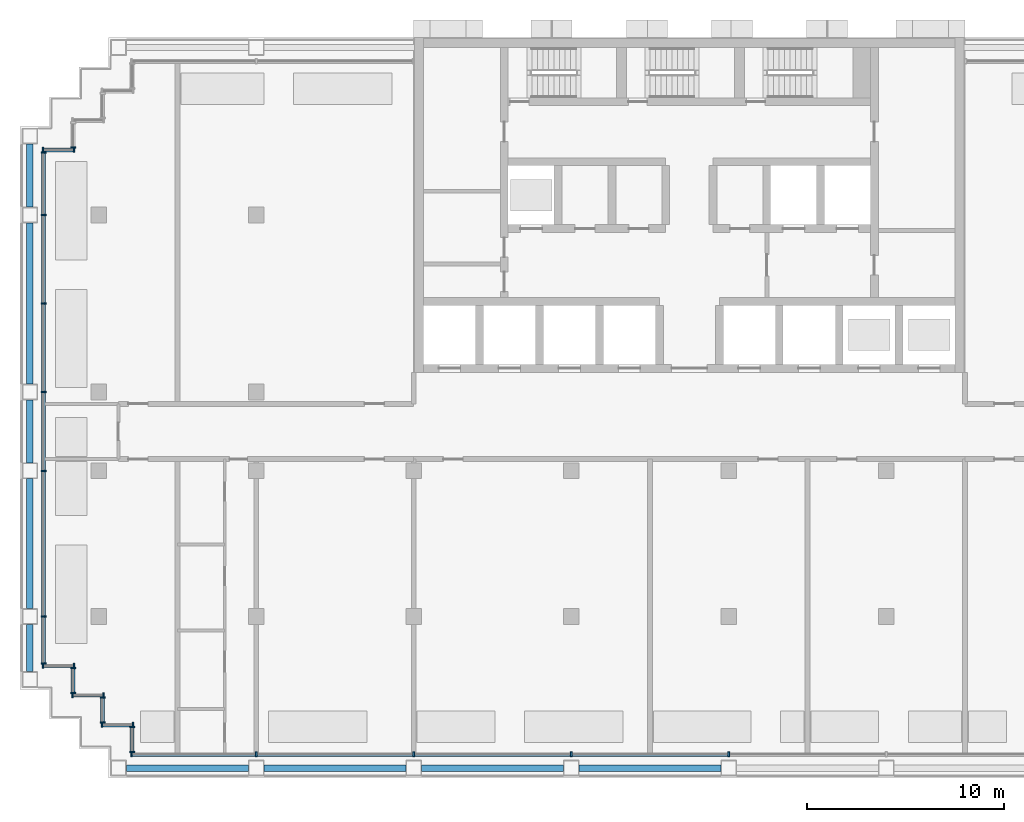
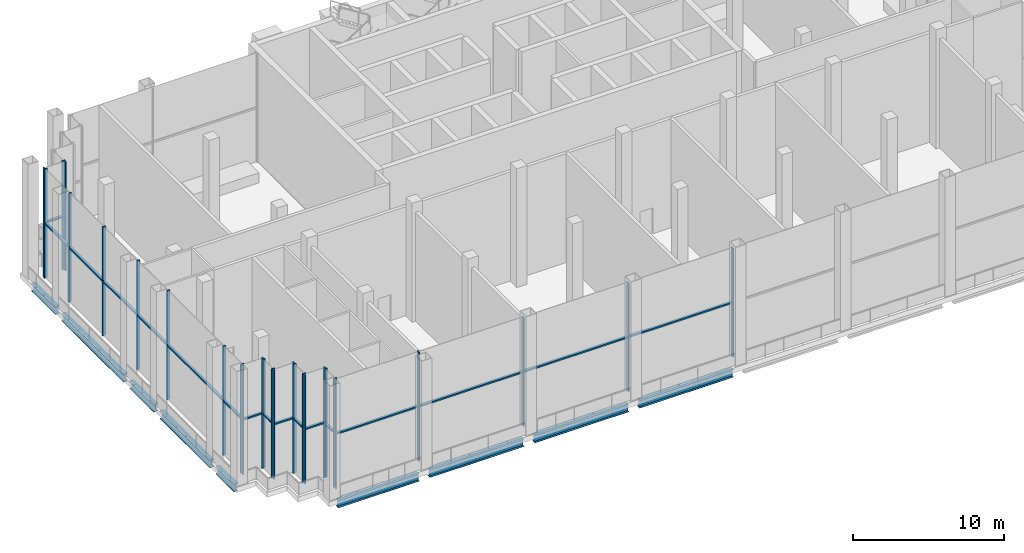
# One storey, part 2 of 16: 44 members, 9 beams, 10 elements without a shape of their own.
"""IFC4 building model written with IfcOpenShell, lengths in metres."""

from ifc_helpers import new_model, si_unit, direction, frame, origin, origin_2d, place, context, subcontext, project, spatial, rectangle, i_section, extrude, material, material_profile, profile_set, type_object, element, aggregate, save


model = new_model("IFC4")

# Units and contexts
model_context = context("Model", 3, precision=1e-05, world=origin(), true_north=direction((0.0, 1.0)))
body_context = subcontext(model_context, "Body", "Model", "MODEL_VIEW")
ifc_project = project(units=[si_unit("LENGTHUNIT", "METRE"), si_unit("AREAUNIT", "SQUARE_METRE"), si_unit("VOLUMEUNIT", "CUBIC_METRE"), si_unit("PLANEANGLEUNIT", "RADIAN"), si_unit("MASSUNIT", "GRAM", prefix="KILO")], contexts=[model_context])

# Site, building, storey
site_placement = place(None, origin())
site = spatial("IfcSite", under=ifc_project, at=site_placement, CompositionType="ELEMENT")
building_placement = place(site_placement, origin())
building = spatial("IfcBuilding", under=site, at=building_placement, Name="Vidyagriha Tower", CompositionType="ELEMENT")
storey_placement = place(building_placement, frame((0.0, 0.0, 151.800048828125)))
storey = spatial("IfcBuildingStorey", under=building, at=storey_placement, Name="L40", CompositionType="ELEMENT", Elevation=151.800048828125)

# Beams
ifc_material_1 = material(Name="Steel ASTM A992 Grade 50", Category="steel")
ifc_material_profile_1 = material_profile(ifc_material_1, i_section(OverallWidth=0.32373046875, OverallDepth=0.612060546875, WebThickness=0.0126953125, FlangeThickness=0.01904296875, at=origin_2d()), Name="W24X104")
ifc_profile_set_1 = profile_set([ifc_material_profile_1], Name="Steel ASTM A992 Grade 50")
beam_type = type_object("IfcBeamType", Name="Edge beam W24X104", PredefinedType="SPANDREL", material=ifc_profile_set_1)
beam_1_placement = place(storey_placement, frame((-28.60009765625, -17.10009765625, -0.7060546875), z_axis=(1.0, 0.0, 0.0), x_axis=(0.0, 1.0, 0.0)))
element("IfcBeam", 1, at=beam_1_placement, inside=storey, type_object=beam_type, Name="st-beam-L40-S01", PredefinedType="SPANDREL", context=body_context, shape_type="SweptSolid", body=[
    extrude(i_section(OverallWidth=0.32373046875, OverallDepth=0.612060546875, WebThickness=0.0126953125, FlangeThickness=0.01904296875, at=origin_2d()), origin(), (0.0, 0.0, 1.0), 6.2001953125),
])
for number, where, z_axis, x_axis, name in (
    (2, (-21.60009765625, -17.10009765625, -0.7060546875), (1.0, 0.0, 0.0), (0.0, 1.0, 0.0), "st-beam-L40-S02"),
    (3, (-13.60009765625, -17.10009765625, -0.7060546875), (1.0, 0.0, 0.0), (0.0, 1.0, 0.0), "st-beam-L40-S03"),
    (4, (-5.60009765625, -17.10009765625, -0.7060546875), (1.0, 0.0, 0.0), (0.0, 1.0, 0.0), "st-beam-L40-S04"),
):
    element("IfcBeam", number, at=place(storey_placement, frame(where, z_axis=z_axis, x_axis=x_axis)), inside=storey, type_object=beam_type, Name=name, PredefinedType="SPANDREL", context=body_context, shape_type="SweptSolid", body=[
        extrude(i_section(OverallWidth=0.32373046875, OverallDepth=0.612060546875, WebThickness=0.0126953125, FlangeThickness=0.01904296875, at=origin_2d()), origin(), (0.0, 0.0, 1.0), 7.2001953125),
    ])
beam_2_placement = place(storey_placement, frame((-33.5, -12.199951171875, -0.7060546875), z_axis=(0.0, 1.0, 0.0), x_axis=(-1.0, 0.0, 0.0)))
element("IfcBeam", 5, at=beam_2_placement, inside=storey, type_object=beam_type, Name="st-beam-L40-W09", PredefinedType="SPANDREL", context=body_context, shape_type="SweptSolid", body=[
    extrude(i_section(OverallWidth=0.32373046875, OverallDepth=0.612060546875, WebThickness=0.0126953125, FlangeThickness=0.01904296875, at=origin_2d()), origin(), (0.0, 0.0, 1.0), 2.39990234375),
])
beam_3_placement = place(storey_placement, frame((-33.5, -9.0, -0.7060546875), z_axis=(0.0, 1.0, 0.0), x_axis=(-1.0, 0.0, 0.0)))
element("IfcBeam", 6, at=beam_3_placement, inside=storey, type_object=beam_type, Name="st-beam-L40-W10", PredefinedType="SPANDREL", context=body_context, shape_type="SweptSolid", body=[
    extrude(i_section(OverallWidth=0.32373046875, OverallDepth=0.612060546875, WebThickness=0.0126953125, FlangeThickness=0.01904296875, at=origin_2d()), origin(), (0.0, 0.0, 1.0), 6.60009765625),
])
beam_4_placement = place(storey_placement, frame((-33.5, -1.60009765625, -0.7060546875), z_axis=(0.0, 1.0, 0.0), x_axis=(-1.0, 0.0, 0.0)))
element("IfcBeam", 7, at=beam_4_placement, inside=storey, type_object=beam_type, Name="st-beam-L40-W11", PredefinedType="SPANDREL", context=body_context, shape_type="SweptSolid", body=[
    extrude(i_section(OverallWidth=0.32373046875, OverallDepth=0.612060546875, WebThickness=0.0126953125, FlangeThickness=0.01904296875, at=origin_2d()), origin(), (0.0, 0.0, 1.0), 3.2001953125),
])
beam_5_placement = place(storey_placement, frame((-33.5, 2.39990234375, -0.7060546875), z_axis=(0.0, 1.0, 0.0), x_axis=(-1.0, 0.0, 0.0)))
element("IfcBeam", 8, at=beam_5_placement, inside=storey, type_object=beam_type, Name="st-beam-L40-W12", PredefinedType="SPANDREL", context=body_context, shape_type="SweptSolid", body=[
    extrude(i_section(OverallWidth=0.32373046875, OverallDepth=0.612060546875, WebThickness=0.0126953125, FlangeThickness=0.01904296875, at=origin_2d()), origin(), (0.0, 0.0, 1.0), 8.2001953125),
])
beam_6_placement = place(storey_placement, frame((-33.5, 11.39990234375, -0.7060546875), z_axis=(0.0, 1.0, 0.0), x_axis=(-1.0, 0.0, 0.0)))
element("IfcBeam", 9, at=beam_6_placement, inside=storey, type_object=beam_type, Name="st-beam-L40-W13", PredefinedType="SPANDREL", context=body_context, shape_type="SweptSolid", body=[
    extrude(i_section(OverallWidth=0.32373046875, OverallDepth=0.612060546875, WebThickness=0.0126953125, FlangeThickness=0.01904296875, at=origin_2d()), origin(), (0.0, 0.0, 1.0), 3.2001953125),
])

# Curtain wall, member
ifc_material_2 = material(Name="Aluminium and glass curtain wall", Category="aluminium")
curtain_wall_type = type_object("IfcCurtainWallType", Name="Winter garden glazing wall", PredefinedType="USERDEFINED", material=ifc_material_2)
curtain_wall_1_placement = place(storey_placement, origin())
curtain_wall_1 = element("IfcCurtainWall", 10, at=curtain_wall_1_placement, inside=storey, type_object=curtain_wall_type, Name="CW3 winter garden glazing", ObjectType="STICK GLAZING", PredefinedType="USERDEFINED")
ifc_material_3 = material(Name="Aluminium black anodised", Category="aluminium")
ifc_material_profile_2 = material_profile(ifc_material_3, rectangle(XDim=0.260009765625, YDim=0.080078125, at=origin_2d()), Name="Mullion 80x260 black aluminium")
ifc_profile_set_2 = profile_set([ifc_material_profile_2], Name="Aluminium black anodised")
member_type_1 = type_object("IfcMemberType", Name="Mullion 80x260 black aluminium", PredefinedType="MULLION", material=ifc_profile_set_2)
member_1_placement = place(storey_placement, frame((-31.300048828125, 14.419921875, 0.0)))
member_1 = element("IfcMember", 11, at=member_1_placement, type_object=member_type_1, Name="CW3 mullion 2", PredefinedType="MULLION", context=body_context, shape_type="SweptSolid", body=[
    extrude(rectangle(XDim=0.260009765625, YDim=0.080078125, at=origin_2d()), origin(), (0.0, 0.0, 1.0), 8.800048828125),
])
aggregate(curtain_wall_1, [member_1])

# Curtain wall, members
curtain_wall_2_placement = place(storey_placement, origin())
curtain_wall_2 = element("IfcCurtainWall", 12, at=curtain_wall_2_placement, inside=storey, type_object=curtain_wall_type, Name="CW3 winter garden glazing", ObjectType="STICK GLAZING", PredefinedType="USERDEFINED")
member_2_placement = place(storey_placement, frame((-31.260009765625, 14.300048828125, 0.0), z_axis=(0.0, 0.0, 1.0), x_axis=(0.0, -1.0, 0.0)))
member_2 = element("IfcMember", 13, at=member_2_placement, type_object=member_type_1, Name="CW3 mullion 1", PredefinedType="MULLION", context=body_context, shape_type="SweptSolid", body=[
    extrude(rectangle(XDim=0.260009765625, YDim=0.080078125, at=origin_2d()), origin(), (0.0, 0.0, 1.0), 8.800048828125),
])
member_3_placement = place(storey_placement, frame((-32.840087890625, 14.300048828125, 0.0), z_axis=(0.0, 0.0, 1.0), x_axis=(0.0, -1.0, 0.0)))
member_3 = element("IfcMember", 14, at=member_3_placement, type_object=member_type_1, Name="CW3 mullion 2", PredefinedType="MULLION", context=body_context, shape_type="SweptSolid", body=[
    extrude(rectangle(XDim=0.260009765625, YDim=0.080078125, at=origin_2d()), origin(), (0.0, 0.0, 1.0), 8.800048828125),
])

curtain_wall_3_placement = place(storey_placement, origin())
curtain_wall_3 = element("IfcCurtainWall", 15, at=curtain_wall_3_placement, inside=storey, type_object=curtain_wall_type, Name="CW3 winter garden glazing", ObjectType="STICK GLAZING", PredefinedType="USERDEFINED")
member_4_placement = place(storey_placement, frame((-32.800048828125, 14.179931640625, 0.0)))
member_4 = element("IfcMember", 16, at=member_4_placement, type_object=member_type_1, Name="CW3 mullion 1", PredefinedType="MULLION", context=body_context, shape_type="SweptSolid", body=[
    extrude(rectangle(XDim=0.260009765625, YDim=0.080078125, at=origin_2d()), origin(), (0.0, 0.0, 1.0), 8.800048828125),
])
member_5_placement = place(storey_placement, frame((-32.800048828125, 11.0, 0.0)))
member_5 = element("IfcMember", 17, at=member_5_placement, type_object=member_type_1, Name="CW3 mullion 2", PredefinedType="MULLION", context=body_context, shape_type="SweptSolid", body=[
    extrude(rectangle(XDim=0.260009765625, YDim=0.080078125, at=origin_2d()), origin(), (0.0, 0.0, 1.0), 8.800048828125),
])
member_6_placement = place(storey_placement, frame((-32.800048828125, 6.5, 0.0)))
member_6 = element("IfcMember", 18, at=member_6_placement, type_object=member_type_1, Name="CW3 mullion 3", PredefinedType="MULLION", context=body_context, shape_type="SweptSolid", body=[
    extrude(rectangle(XDim=0.260009765625, YDim=0.080078125, at=origin_2d()), origin(), (0.0, 0.0, 1.0), 8.800048828125),
])
member_7_placement = place(storey_placement, frame((-32.800048828125, 2.0, 0.0)))
member_7 = element("IfcMember", 19, at=member_7_placement, type_object=member_type_1, Name="CW3 mullion 4", PredefinedType="MULLION", context=body_context, shape_type="SweptSolid", body=[
    extrude(rectangle(XDim=0.260009765625, YDim=0.080078125, at=origin_2d()), origin(), (0.0, 0.0, 1.0), 8.800048828125),
])
member_8_placement = place(storey_placement, frame((-32.800048828125, -2.0, 0.0)))
member_8 = element("IfcMember", 20, at=member_8_placement, type_object=member_type_1, Name="CW3 mullion 5", PredefinedType="MULLION", context=body_context, shape_type="SweptSolid", body=[
    extrude(rectangle(XDim=0.260009765625, YDim=0.080078125, at=origin_2d()), origin(), (0.0, 0.0, 1.0), 8.800048828125),
])
member_9_placement = place(storey_placement, frame((-32.800048828125, -9.39990234375, 0.0)))
member_9 = element("IfcMember", 21, at=member_9_placement, type_object=member_type_1, Name="CW3 mullion 6", PredefinedType="MULLION", context=body_context, shape_type="SweptSolid", body=[
    extrude(rectangle(XDim=0.260009765625, YDim=0.080078125, at=origin_2d()), origin(), (0.0, 0.0, 1.0), 8.800048828125),
])
member_10_placement = place(storey_placement, frame((-32.800048828125, -11.780029296875, 0.0)))
member_10 = element("IfcMember", 22, at=member_10_placement, type_object=member_type_1, Name="CW3 mullion 7", PredefinedType="MULLION", context=body_context, shape_type="SweptSolid", body=[
    extrude(rectangle(XDim=0.260009765625, YDim=0.080078125, at=origin_2d()), origin(), (0.0, 0.0, 1.0), 8.800048828125),
])

curtain_wall_4_placement = place(storey_placement, origin())
curtain_wall_4 = element("IfcCurtainWall", 23, at=curtain_wall_4_placement, inside=storey, type_object=curtain_wall_type, Name="CW3 winter garden glazing", ObjectType="STICK GLAZING", PredefinedType="USERDEFINED")
member_11_placement = place(storey_placement, frame((-32.840087890625, -11.89990234375, 0.0), z_axis=(0.0, 0.0, 1.0), x_axis=(0.0, 1.0, 0.0)))
member_11 = element("IfcMember", 24, at=member_11_placement, type_object=member_type_1, Name="CW3 mullion 1", PredefinedType="MULLION", context=body_context, shape_type="SweptSolid", body=[
    extrude(rectangle(XDim=0.260009765625, YDim=0.080078125, at=origin_2d()), origin(), (0.0, 0.0, 1.0), 8.800048828125),
])
member_12_placement = place(storey_placement, frame((-31.260009765625, -11.89990234375, 0.0), z_axis=(0.0, 0.0, 1.0), x_axis=(0.0, 1.0, 0.0)))
member_12 = element("IfcMember", 25, at=member_12_placement, type_object=member_type_1, Name="CW3 mullion 2", PredefinedType="MULLION", context=body_context, shape_type="SweptSolid", body=[
    extrude(rectangle(XDim=0.260009765625, YDim=0.080078125, at=origin_2d()), origin(), (0.0, 0.0, 1.0), 8.800048828125),
])

curtain_wall_5_placement = place(storey_placement, origin())
curtain_wall_5 = element("IfcCurtainWall", 26, at=curtain_wall_5_placement, inside=storey, type_object=curtain_wall_type, Name="CW3 winter garden glazing", ObjectType="STICK GLAZING", PredefinedType="USERDEFINED")
member_13_placement = place(storey_placement, frame((-31.300048828125, -12.02001953125, 0.0)))
member_13 = element("IfcMember", 27, at=member_13_placement, type_object=member_type_1, Name="CW3 mullion 1", PredefinedType="MULLION", context=body_context, shape_type="SweptSolid", body=[
    extrude(rectangle(XDim=0.260009765625, YDim=0.080078125, at=origin_2d()), origin(), (0.0, 0.0, 1.0), 8.800048828125),
])
member_14_placement = place(storey_placement, frame((-31.300048828125, -13.280029296875, 0.0)))
member_14 = element("IfcMember", 28, at=member_14_placement, type_object=member_type_1, Name="CW3 mullion 2", PredefinedType="MULLION", context=body_context, shape_type="SweptSolid", body=[
    extrude(rectangle(XDim=0.260009765625, YDim=0.080078125, at=origin_2d()), origin(), (0.0, 0.0, 1.0), 8.800048828125),
])

curtain_wall_6_placement = place(storey_placement, origin())
curtain_wall_6 = element("IfcCurtainWall", 29, at=curtain_wall_6_placement, inside=storey, type_object=curtain_wall_type, Name="CW3 winter garden glazing", ObjectType="STICK GLAZING", PredefinedType="USERDEFINED")
member_15_placement = place(storey_placement, frame((-31.340087890625, -13.39990234375, 0.0), z_axis=(0.0, 0.0, 1.0), x_axis=(0.0, 1.0, 0.0)))
member_15 = element("IfcMember", 30, at=member_15_placement, type_object=member_type_1, Name="CW3 mullion 1", PredefinedType="MULLION", context=body_context, shape_type="SweptSolid", body=[
    extrude(rectangle(XDim=0.260009765625, YDim=0.080078125, at=origin_2d()), origin(), (0.0, 0.0, 1.0), 8.800048828125),
])
member_16_placement = place(storey_placement, frame((-29.760009765625, -13.39990234375, 0.0), z_axis=(0.0, 0.0, 1.0), x_axis=(0.0, 1.0, 0.0)))
member_16 = element("IfcMember", 31, at=member_16_placement, type_object=member_type_1, Name="CW3 mullion 2", PredefinedType="MULLION", context=body_context, shape_type="SweptSolid", body=[
    extrude(rectangle(XDim=0.260009765625, YDim=0.080078125, at=origin_2d()), origin(), (0.0, 0.0, 1.0), 8.800048828125),
])

curtain_wall_7_placement = place(storey_placement, origin())
curtain_wall_7 = element("IfcCurtainWall", 32, at=curtain_wall_7_placement, inside=storey, type_object=curtain_wall_type, Name="CW3 winter garden glazing", ObjectType="STICK GLAZING", PredefinedType="USERDEFINED")
member_17_placement = place(storey_placement, frame((-29.800048828125, -13.52001953125, 0.0)))
member_17 = element("IfcMember", 33, at=member_17_placement, type_object=member_type_1, Name="CW3 mullion 1", PredefinedType="MULLION", context=body_context, shape_type="SweptSolid", body=[
    extrude(rectangle(XDim=0.260009765625, YDim=0.080078125, at=origin_2d()), origin(), (0.0, 0.0, 1.0), 8.800048828125),
])
member_18_placement = place(storey_placement, frame((-29.800048828125, -14.780029296875, 0.0)))
member_18 = element("IfcMember", 34, at=member_18_placement, type_object=member_type_1, Name="CW3 mullion 2", PredefinedType="MULLION", context=body_context, shape_type="SweptSolid", body=[
    extrude(rectangle(XDim=0.260009765625, YDim=0.080078125, at=origin_2d()), origin(), (0.0, 0.0, 1.0), 8.800048828125),
])

curtain_wall_8_placement = place(storey_placement, origin())
curtain_wall_8 = element("IfcCurtainWall", 35, at=curtain_wall_8_placement, inside=storey, type_object=curtain_wall_type, Name="CW3 winter garden glazing", ObjectType="STICK GLAZING", PredefinedType="USERDEFINED")
member_19_placement = place(storey_placement, frame((-29.840087890625, -14.89990234375, 0.0), z_axis=(0.0, 0.0, 1.0), x_axis=(0.0, 1.0, 0.0)))
member_19 = element("IfcMember", 36, at=member_19_placement, type_object=member_type_1, Name="CW3 mullion 1", PredefinedType="MULLION", context=body_context, shape_type="SweptSolid", body=[
    extrude(rectangle(XDim=0.260009765625, YDim=0.080078125, at=origin_2d()), origin(), (0.0, 0.0, 1.0), 8.800048828125),
])
member_20_placement = place(storey_placement, frame((-28.260009765625, -14.89990234375, 0.0), z_axis=(0.0, 0.0, 1.0), x_axis=(0.0, 1.0, 0.0)))
member_20 = element("IfcMember", 37, at=member_20_placement, type_object=member_type_1, Name="CW3 mullion 2", PredefinedType="MULLION", context=body_context, shape_type="SweptSolid", body=[
    extrude(rectangle(XDim=0.260009765625, YDim=0.080078125, at=origin_2d()), origin(), (0.0, 0.0, 1.0), 8.800048828125),
])

curtain_wall_9_placement = place(storey_placement, origin())
curtain_wall_9 = element("IfcCurtainWall", 38, at=curtain_wall_9_placement, inside=storey, type_object=curtain_wall_type, Name="CW3 winter garden glazing", ObjectType="STICK GLAZING", PredefinedType="USERDEFINED")
member_21_placement = place(storey_placement, frame((-28.300048828125, -15.02001953125, 0.0)))
member_21 = element("IfcMember", 39, at=member_21_placement, type_object=member_type_1, Name="CW3 mullion 1", PredefinedType="MULLION", context=body_context, shape_type="SweptSolid", body=[
    extrude(rectangle(XDim=0.260009765625, YDim=0.080078125, at=origin_2d()), origin(), (0.0, 0.0, 1.0), 8.800048828125),
])
member_22_placement = place(storey_placement, frame((-28.300048828125, -16.280029296875, 0.0)))
member_22 = element("IfcMember", 40, at=member_22_placement, type_object=member_type_1, Name="CW3 mullion 2", PredefinedType="MULLION", context=body_context, shape_type="SweptSolid", body=[
    extrude(rectangle(XDim=0.260009765625, YDim=0.080078125, at=origin_2d()), origin(), (0.0, 0.0, 1.0), 8.800048828125),
])

curtain_wall_10_placement = place(storey_placement, origin())
curtain_wall_10 = element("IfcCurtainWall", 41, at=curtain_wall_10_placement, inside=storey, type_object=curtain_wall_type, Name="CW3 winter garden glazing", ObjectType="STICK GLAZING", PredefinedType="USERDEFINED")
member_23_placement = place(storey_placement, frame((-28.340087890625, -16.39990234375, 0.0), z_axis=(0.0, 0.0, 1.0), x_axis=(0.0, 1.0, 0.0)))
member_23 = element("IfcMember", 42, at=member_23_placement, type_object=member_type_1, Name="CW3 mullion 1", PredefinedType="MULLION", context=body_context, shape_type="SweptSolid", body=[
    extrude(rectangle(XDim=0.260009765625, YDim=0.080078125, at=origin_2d()), origin(), (0.0, 0.0, 1.0), 8.800048828125),
])
member_24_placement = place(storey_placement, frame((-22.0, -16.39990234375, 0.0), z_axis=(0.0, 0.0, 1.0), x_axis=(0.0, 1.0, 0.0)))
member_24 = element("IfcMember", 43, at=member_24_placement, type_object=member_type_1, Name="CW3 mullion 2", PredefinedType="MULLION", context=body_context, shape_type="SweptSolid", body=[
    extrude(rectangle(XDim=0.260009765625, YDim=0.080078125, at=origin_2d()), origin(), (0.0, 0.0, 1.0), 8.800048828125),
])
member_25_placement = place(storey_placement, frame((-14.0, -16.39990234375, 0.0), z_axis=(0.0, 0.0, 1.0), x_axis=(0.0, 1.0, 0.0)))
member_25 = element("IfcMember", 44, at=member_25_placement, type_object=member_type_1, Name="CW3 mullion 3", PredefinedType="MULLION", context=body_context, shape_type="SweptSolid", body=[
    extrude(rectangle(XDim=0.260009765625, YDim=0.080078125, at=origin_2d()), origin(), (0.0, 0.0, 1.0), 8.800048828125),
])
member_26_placement = place(storey_placement, frame((-6.0, -16.39990234375, 0.0), z_axis=(0.0, 0.0, 1.0), x_axis=(0.0, 1.0, 0.0)))
member_26 = element("IfcMember", 45, at=member_26_placement, type_object=member_type_1, Name="CW3 mullion 4", PredefinedType="MULLION", context=body_context, shape_type="SweptSolid", body=[
    extrude(rectangle(XDim=0.260009765625, YDim=0.080078125, at=origin_2d()), origin(), (0.0, 0.0, 1.0), 8.800048828125),
])
member_27_placement = place(storey_placement, frame((2.0, -16.39990234375, 0.0), z_axis=(0.0, 0.0, 1.0), x_axis=(0.0, 1.0, 0.0)))
member_27 = element("IfcMember", 46, at=member_27_placement, type_object=member_type_1, Name="CW3 mullion 5", PredefinedType="MULLION", context=body_context, shape_type="SweptSolid", body=[
    extrude(rectangle(XDim=0.260009765625, YDim=0.080078125, at=origin_2d()), origin(), (0.0, 0.0, 1.0), 8.800048828125),
])

# Member
ifc_material_4 = material(Name="Aluminium black anodised", Category="aluminium")
ifc_material_profile_3 = material_profile(ifc_material_4, rectangle(XDim=0.199951171875, YDim=0.1201171875, at=origin_2d()), Name="Transom 120x200 black aluminium")
ifc_profile_set_3 = profile_set([ifc_material_profile_3], Name="Aluminium black anodised")
member_type_2 = type_object("IfcMemberType", Name="Transom 120x200 black aluminium", PredefinedType="USERDEFINED", material=ifc_profile_set_3)
member_28_placement = place(storey_placement, frame((-31.300048828125, 14.300048828125, 4.39990234375), z_axis=(-1.0, 0.0, 0.0), x_axis=(0.0, -1.0, 0.0)))
member_28 = element("IfcMember", 47, at=member_28_placement, type_object=member_type_2, Name="CW3 transom 1.1", ObjectType="TRANSOM", PredefinedType="USERDEFINED", context=body_context, shape_type="SweptSolid", body=[
    extrude(rectangle(XDim=0.199951171875, YDim=0.1201171875, at=origin_2d()), origin(), (0.0, 0.0, 1.0), 1.5),
])

aggregate(curtain_wall_2, [member_2, member_3, member_28])

member_29_placement = place(storey_placement, frame((-32.800048828125, 14.139892578125, 4.39990234375), z_axis=(0.0, -1.0, 0.0), x_axis=(1.0, 0.0, 0.0)))
member_29 = element("IfcMember", 48, at=member_29_placement, type_object=member_type_2, Name="CW3 transom 1.1", ObjectType="TRANSOM", PredefinedType="USERDEFINED", context=body_context, shape_type="SweptSolid", body=[
    extrude(rectangle(XDim=0.199951171875, YDim=0.1201171875, at=origin_2d()), origin(), (0.0, 0.0, 1.0), 3.099853515625),
])

member_30_placement = place(storey_placement, frame((-32.800048828125, 10.9599609375, 4.39990234375), z_axis=(0.0, -1.0, 0.0), x_axis=(1.0, 0.0, 0.0)))
member_30 = element("IfcMember", 49, at=member_30_placement, type_object=member_type_2, Name="CW3 transom 2.1", ObjectType="TRANSOM", PredefinedType="USERDEFINED", context=body_context, shape_type="SweptSolid", body=[
    extrude(rectangle(XDim=0.199951171875, YDim=0.1201171875, at=origin_2d()), origin(), (0.0, 0.0, 1.0), 4.419921875),
])

member_31_placement = place(storey_placement, frame((-32.800048828125, 6.4599609375, 4.39990234375), z_axis=(0.0, -1.0, 0.0), x_axis=(1.0, 0.0, 0.0)))
member_31 = element("IfcMember", 50, at=member_31_placement, type_object=member_type_2, Name="CW3 transom 3.1", ObjectType="TRANSOM", PredefinedType="USERDEFINED", context=body_context, shape_type="SweptSolid", body=[
    extrude(rectangle(XDim=0.199951171875, YDim=0.1201171875, at=origin_2d()), origin(), (0.0, 0.0, 1.0), 4.419921875),
])

member_32_placement = place(storey_placement, frame((-32.800048828125, 1.9599609375, 4.39990234375), z_axis=(0.0, -1.0, 0.0), x_axis=(1.0, 0.0, 0.0)))
member_32 = element("IfcMember", 51, at=member_32_placement, type_object=member_type_2, Name="CW3 transom 4.1", ObjectType="TRANSOM", PredefinedType="USERDEFINED", context=body_context, shape_type="SweptSolid", body=[
    extrude(rectangle(XDim=0.199951171875, YDim=0.1201171875, at=origin_2d()), origin(), (0.0, 0.0, 1.0), 3.919921875),
])

member_33_placement = place(storey_placement, frame((-32.800048828125, -2.0400390625, 4.39990234375), z_axis=(0.0, -1.0, 0.0), x_axis=(1.0, 0.0, 0.0)))
member_33 = element("IfcMember", 52, at=member_33_placement, type_object=member_type_2, Name="CW3 transom 5.1", ObjectType="TRANSOM", PredefinedType="USERDEFINED", context=body_context, shape_type="SweptSolid", body=[
    extrude(rectangle(XDim=0.199951171875, YDim=0.1201171875, at=origin_2d()), origin(), (0.0, 0.0, 1.0), 7.320068359375),
])

member_34_placement = place(storey_placement, frame((-32.800048828125, -9.43994140625, 4.39990234375), z_axis=(0.0, -1.0, 0.0), x_axis=(1.0, 0.0, 0.0)))
member_34 = element("IfcMember", 53, at=member_34_placement, type_object=member_type_2, Name="CW3 transom 6.1", ObjectType="TRANSOM", PredefinedType="USERDEFINED", context=body_context, shape_type="SweptSolid", body=[
    extrude(rectangle(XDim=0.199951171875, YDim=0.1201171875, at=origin_2d()), origin(), (0.0, 0.0, 1.0), 2.300048828125),
])

aggregate(curtain_wall_3, [member_4, member_5, member_6, member_7, member_8, member_9, member_10, member_29, member_30, member_31, member_32, member_33, member_34])

member_35_placement = place(storey_placement, frame((-32.800048828125, -11.89990234375, 4.39990234375), z_axis=(1.0, 0.0, 0.0), x_axis=(0.0, 1.0, 0.0)))
member_35 = element("IfcMember", 54, at=member_35_placement, type_object=member_type_2, Name="CW3 transom 1.1", ObjectType="TRANSOM", PredefinedType="USERDEFINED", context=body_context, shape_type="SweptSolid", body=[
    extrude(rectangle(XDim=0.199951171875, YDim=0.1201171875, at=origin_2d()), origin(), (0.0, 0.0, 1.0), 1.5),
])

aggregate(curtain_wall_4, [member_11, member_12, member_35])

member_36_placement = place(storey_placement, frame((-31.300048828125, -12.06005859375, 4.39990234375), z_axis=(0.0, -1.0, 0.0), x_axis=(1.0, 0.0, 0.0)))
member_36 = element("IfcMember", 55, at=member_36_placement, type_object=member_type_2, Name="CW3 transom 1.1", ObjectType="TRANSOM", PredefinedType="USERDEFINED", context=body_context, shape_type="SweptSolid", body=[
    extrude(rectangle(XDim=0.199951171875, YDim=0.1201171875, at=origin_2d()), origin(), (0.0, 0.0, 1.0), 1.179931640625),
])

aggregate(curtain_wall_5, [member_13, member_14, member_36])

member_37_placement = place(storey_placement, frame((-31.300048828125, -13.39990234375, 4.39990234375), z_axis=(1.0, 0.0, 0.0), x_axis=(0.0, 1.0, 0.0)))
member_37 = element("IfcMember", 56, at=member_37_placement, type_object=member_type_2, Name="CW3 transom 1.1", ObjectType="TRANSOM", PredefinedType="USERDEFINED", context=body_context, shape_type="SweptSolid", body=[
    extrude(rectangle(XDim=0.199951171875, YDim=0.1201171875, at=origin_2d()), origin(), (0.0, 0.0, 1.0), 1.5),
])

aggregate(curtain_wall_6, [member_15, member_16, member_37])

member_38_placement = place(storey_placement, frame((-29.800048828125, -13.56005859375, 4.39990234375), z_axis=(0.0, -1.0, 0.0), x_axis=(1.0, 0.0, 0.0)))
member_38 = element("IfcMember", 57, at=member_38_placement, type_object=member_type_2, Name="CW3 transom 1.1", ObjectType="TRANSOM", PredefinedType="USERDEFINED", context=body_context, shape_type="SweptSolid", body=[
    extrude(rectangle(XDim=0.199951171875, YDim=0.1201171875, at=origin_2d()), origin(), (0.0, 0.0, 1.0), 1.179931640625),
])

aggregate(curtain_wall_7, [member_17, member_18, member_38])

member_39_placement = place(storey_placement, frame((-29.800048828125, -14.89990234375, 4.39990234375), z_axis=(1.0, 0.0, 0.0), x_axis=(0.0, 1.0, 0.0)))
member_39 = element("IfcMember", 58, at=member_39_placement, type_object=member_type_2, Name="CW3 transom 1.1", ObjectType="TRANSOM", PredefinedType="USERDEFINED", context=body_context, shape_type="SweptSolid", body=[
    extrude(rectangle(XDim=0.199951171875, YDim=0.1201171875, at=origin_2d()), origin(), (0.0, 0.0, 1.0), 1.5),
])

aggregate(curtain_wall_8, [member_19, member_20, member_39])

member_40_placement = place(storey_placement, frame((-28.300048828125, -15.06005859375, 4.39990234375), z_axis=(0.0, -1.0, 0.0), x_axis=(1.0, 0.0, 0.0)))
member_40 = element("IfcMember", 59, at=member_40_placement, type_object=member_type_2, Name="CW3 transom 1.1", ObjectType="TRANSOM", PredefinedType="USERDEFINED", context=body_context, shape_type="SweptSolid", body=[
    extrude(rectangle(XDim=0.199951171875, YDim=0.1201171875, at=origin_2d()), origin(), (0.0, 0.0, 1.0), 1.179931640625),
])

aggregate(curtain_wall_9, [member_21, member_22, member_40])

member_41_placement = place(storey_placement, frame((-28.300048828125, -16.39990234375, 4.39990234375), z_axis=(1.0, 0.0, 0.0), x_axis=(0.0, 1.0, 0.0)))
member_41 = element("IfcMember", 60, at=member_41_placement, type_object=member_type_2, Name="CW3 transom 1.1", ObjectType="TRANSOM", PredefinedType="USERDEFINED", context=body_context, shape_type="SweptSolid", body=[
    extrude(rectangle(XDim=0.199951171875, YDim=0.1201171875, at=origin_2d()), origin(), (0.0, 0.0, 1.0), 6.260009765625),
])

member_42_placement = place(storey_placement, frame((-21.9599609375, -16.39990234375, 4.39990234375), z_axis=(1.0, 0.0, 0.0), x_axis=(0.0, 1.0, 0.0)))
member_42 = element("IfcMember", 61, at=member_42_placement, type_object=member_type_2, Name="CW3 transom 2.1", ObjectType="TRANSOM", PredefinedType="USERDEFINED", context=body_context, shape_type="SweptSolid", body=[
    extrude(rectangle(XDim=0.199951171875, YDim=0.1201171875, at=origin_2d()), origin(), (0.0, 0.0, 1.0), 7.919921875),
])

member_43_placement = place(storey_placement, frame((-13.9599609375, -16.39990234375, 4.39990234375), z_axis=(1.0, 0.0, 0.0), x_axis=(0.0, 1.0, 0.0)))
member_43 = element("IfcMember", 62, at=member_43_placement, type_object=member_type_2, Name="CW3 transom 3.1", ObjectType="TRANSOM", PredefinedType="USERDEFINED", context=body_context, shape_type="SweptSolid", body=[
    extrude(rectangle(XDim=0.199951171875, YDim=0.1201171875, at=origin_2d()), origin(), (0.0, 0.0, 1.0), 7.919921875),
])

member_44_placement = place(storey_placement, frame((-5.9599609375, -16.39990234375, 4.39990234375), z_axis=(1.0, 0.0, 0.0), x_axis=(0.0, 1.0, 0.0)))
member_44 = element("IfcMember", 63, at=member_44_placement, type_object=member_type_2, Name="CW3 transom 4.1", ObjectType="TRANSOM", PredefinedType="USERDEFINED", context=body_context, shape_type="SweptSolid", body=[
    extrude(rectangle(XDim=0.199951171875, YDim=0.1201171875, at=origin_2d()), origin(), (0.0, 0.0, 1.0), 7.919921875),
])

aggregate(curtain_wall_10, [member_23, member_24, member_25, member_26, member_27, member_41, member_42, member_43, member_44])

save(model, "model.ifc")
